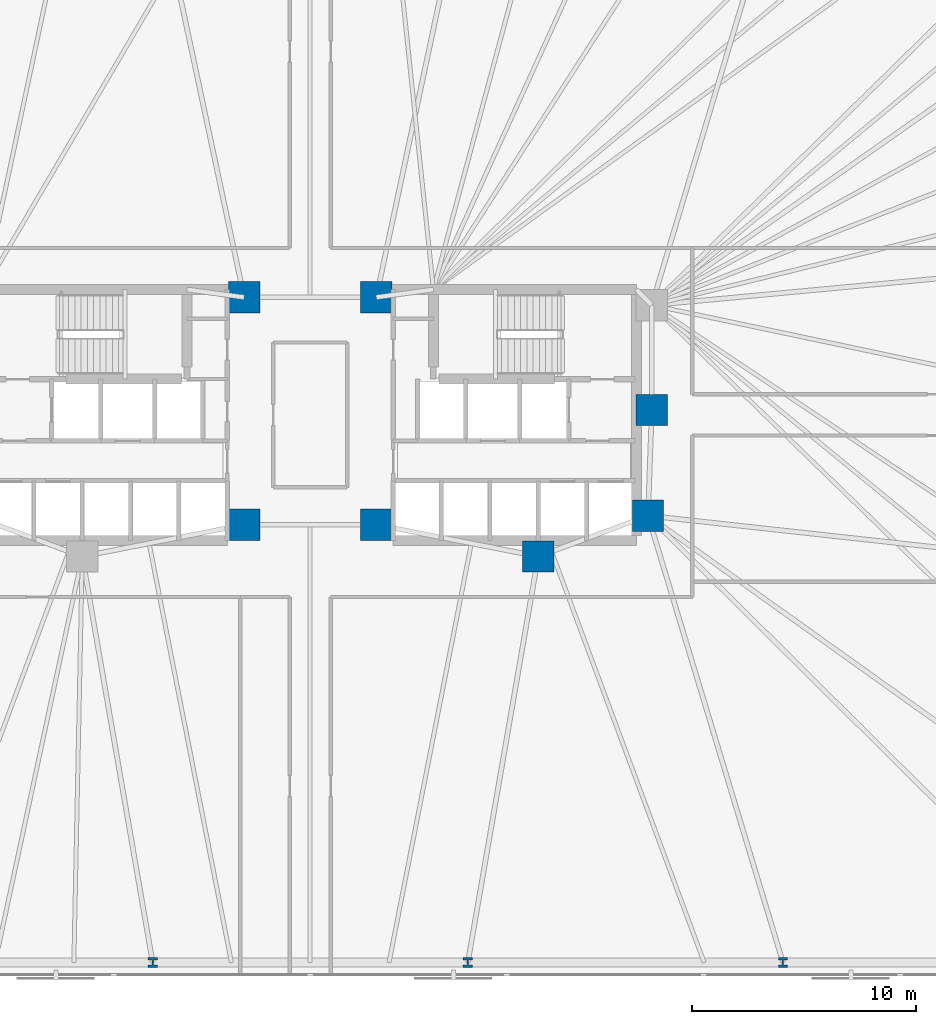
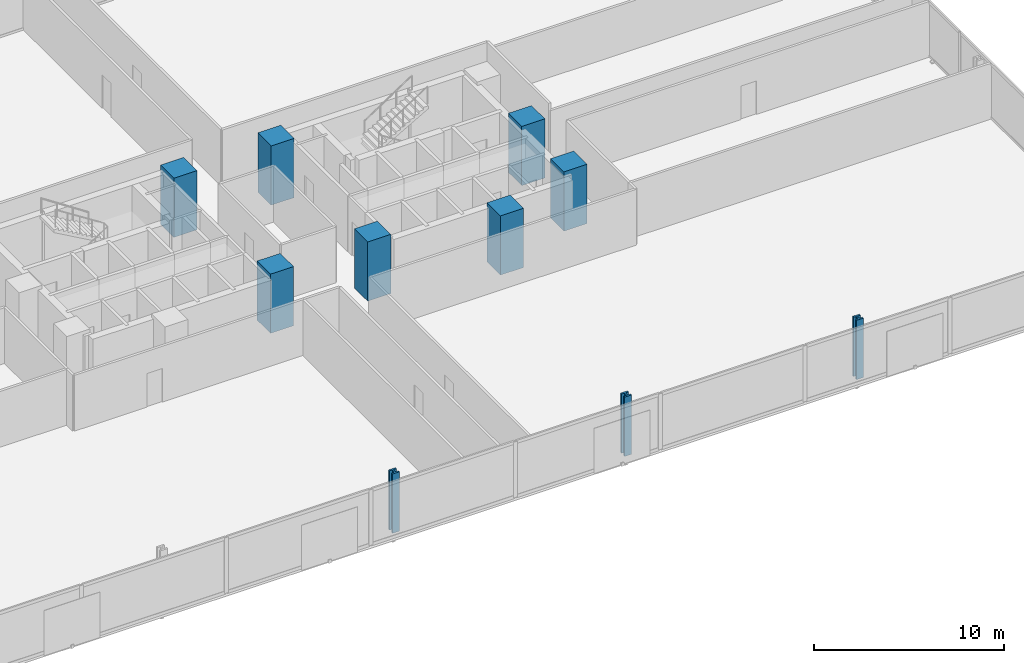
# One storey, part 3 of 16: 10 columns.
"""IFC4 building model written with IfcOpenShell, lengths in metres."""

from ifc_helpers import new_model, si_unit, direction, frame, origin, origin_2d, place, context, subcontext, project, spatial, rectangle, i_section, extrude, material, material_profile, profile_set, type_object, element, save


model = new_model("IFC4")

# Units and contexts
model_context = context("Model", 3, precision=1e-05, world=origin(), true_north=direction((0.0, 1.0)))
body_context = subcontext(model_context, "Body", "Model", "MODEL_VIEW")
ifc_project = project(units=[si_unit("LENGTHUNIT", "METRE"), si_unit("AREAUNIT", "SQUARE_METRE"), si_unit("VOLUMEUNIT", "CUBIC_METRE"), si_unit("PLANEANGLEUNIT", "RADIAN"), si_unit("MASSUNIT", "GRAM", prefix="KILO")], contexts=[model_context])

# Site, building, storey
site_placement = place(None, origin())
site = spatial("IfcSite", under=ifc_project, at=site_placement, CompositionType="ELEMENT")
building_placement = place(site_placement, origin())
building = spatial("IfcBuilding", under=site, at=building_placement, Name="Menara Jurai Vektor", CompositionType="ELEMENT")
storey_placement = place(building_placement, frame((0.0, 0.0, 14.199951171875)))
storey = spatial("IfcBuildingStorey", under=building, at=storey_placement, Name="L02", CompositionType="ELEMENT", Elevation=14.199951171875)

# Columns
ifc_material_1 = material(Name="Concrete C60/75", Category="concrete")
ifc_material_profile_1 = material_profile(ifc_material_1, rectangle(XDim=1.39990234375, YDim=1.39990234375, at=origin_2d()), Name="RC 1400x1400")
ifc_profile_set_1 = profile_set([ifc_material_profile_1], Name="Concrete C60/75")
column_type_1 = type_object("IfcColumnType", Name="STR-COL-RC1400", PredefinedType="COLUMN", material=ifc_profile_set_1)
for number, where, z_axis, x_axis, name in (
    (1, (-2.949951171875, -4.89990234375, 0.0), (0.0, 0.0, 1.0), (1.0, 0.0, 0.0), "Core Spine Column CW-SE L02"),
    (2, (-2.949951171875, 5.25, 0.0), (0.0, 0.0, 1.0), (1.0, 0.0, 0.0), "Core Spine Column CW-NE L02"),
    (3, (15.25, 0.219970703125, 0.0), (0.0, 0.0, 1.0), (1.0, 0.0, 0.0), "Core Spine Column CE-EM L02"),
    (4, (15.080078125, -4.5, 0.0), (0.0, 0.0, 1.0), (1.0, 0.0, 0.0), "Core Spine Column CE-SE L02"),
    (5, (10.179931640625, -6.320068359375, 0.0), (0.0, 0.0, 1.0), (1.0, 0.0, 0.0), "Core Spine Column CE-SM L02"),
    (6, (2.949951171875, -4.89990234375, 0.0), (0.0, 0.0, 1.0), (1.0, 0.0, 0.0), "Core Spine Column CE-SW L02"),
    (7, (2.949951171875, 5.25, 0.0), (0.0, 0.0, 1.0), (1.0, 0.0, 0.0), "Core Spine Column CE-NW L02"),
):
    element("IfcColumn", number, at=place(storey_placement, frame(where, z_axis=z_axis, x_axis=x_axis)), inside=storey, type_object=column_type_1, Name=name, PredefinedType="COLUMN", context=body_context, shape_type="SweptSolid", body=[
        extrude(rectangle(XDim=1.39990234375, YDim=1.39990234375, at=origin_2d()), origin(), (0.0, 0.0, 1.0), 3.800048828125),
    ])
ifc_material_2 = material(Name="Steel S460", Category="steel")
ifc_material_profile_2 = material_profile(ifc_material_2, i_section(OverallWidth=0.419921875, OverallDepth=0.430908203125, WebThickness=0.06494140625, FlangeThickness=0.10595703125, FilletRadius=0.014892578125, at=origin_2d()), Name="HD 400x900")
ifc_profile_set_2 = profile_set([ifc_material_profile_2], Name="Steel S460")
column_type_2 = type_object("IfcColumnType", Name="STR-EXO-BLK1", PredefinedType="COLUMN", material=ifc_profile_set_2)
for number, where, z_axis, x_axis, name in (
    (8, (-7.03564453125, -24.449951171875, 0.0), (0.0, 0.0, 1.0), (1.0, 0.0, 0.0), "Exoskeleton Column BLK1-S3 L02"),
    (9, (7.03564453125, -24.449951171875, 0.0), (0.0, 0.0, 1.0), (1.0, 0.0, 0.0), "Exoskeleton Column BLK1-S4 L02"),
    (10, (21.106689453125, -24.449951171875, 0.0), (0.0, 0.0, 1.0), (1.0, 0.0, 0.0), "Exoskeleton Column BLK1-S5 L02"),
):
    element("IfcColumn", number, at=place(storey_placement, frame(where, z_axis=z_axis, x_axis=x_axis)), inside=storey, type_object=column_type_2, Name=name, PredefinedType="COLUMN", context=body_context, shape_type="SweptSolid", body=[
        extrude(i_section(OverallWidth=0.419921875, OverallDepth=0.430908203125, WebThickness=0.06494140625, FlangeThickness=0.10595703125, FilletRadius=0.014892578125, at=origin_2d()), origin(), (0.0, 0.0, 1.0), 3.800048828125),
    ])

save(model, "model.ifc")
